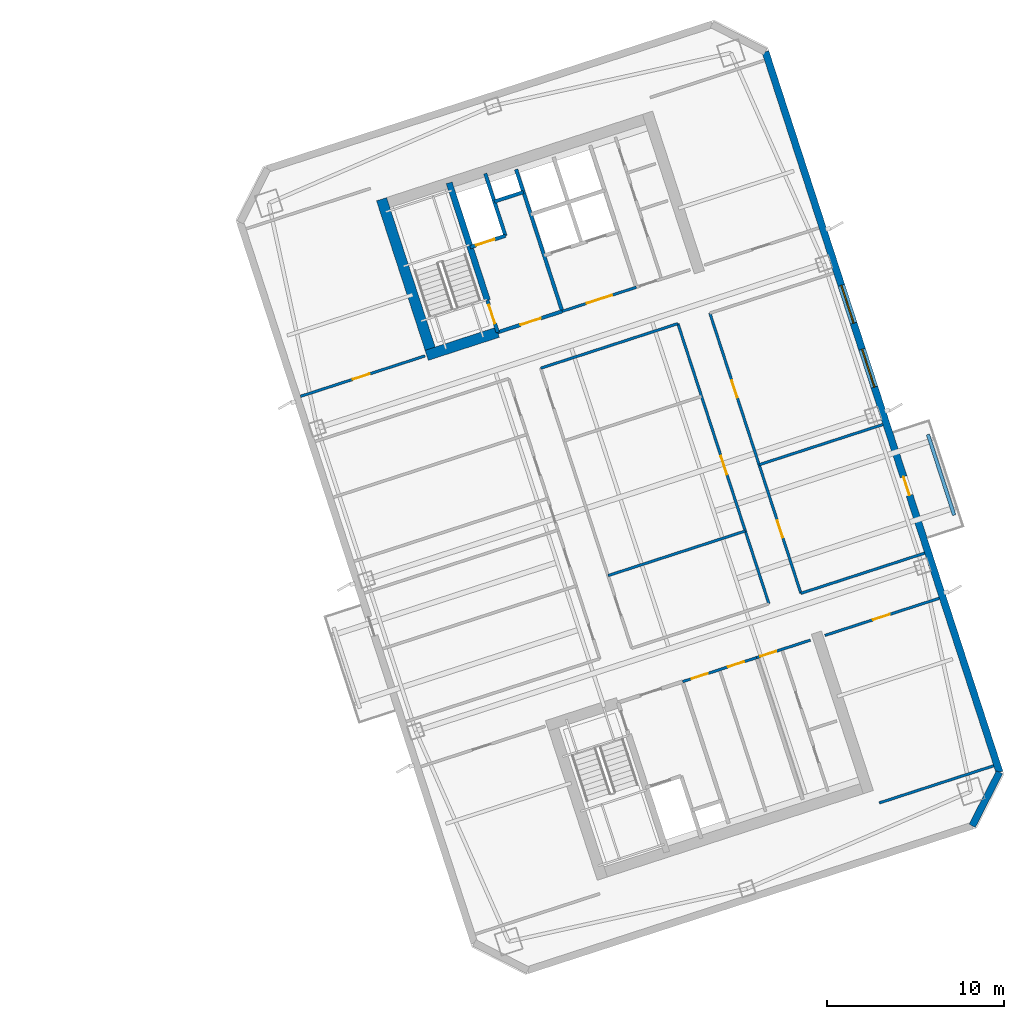
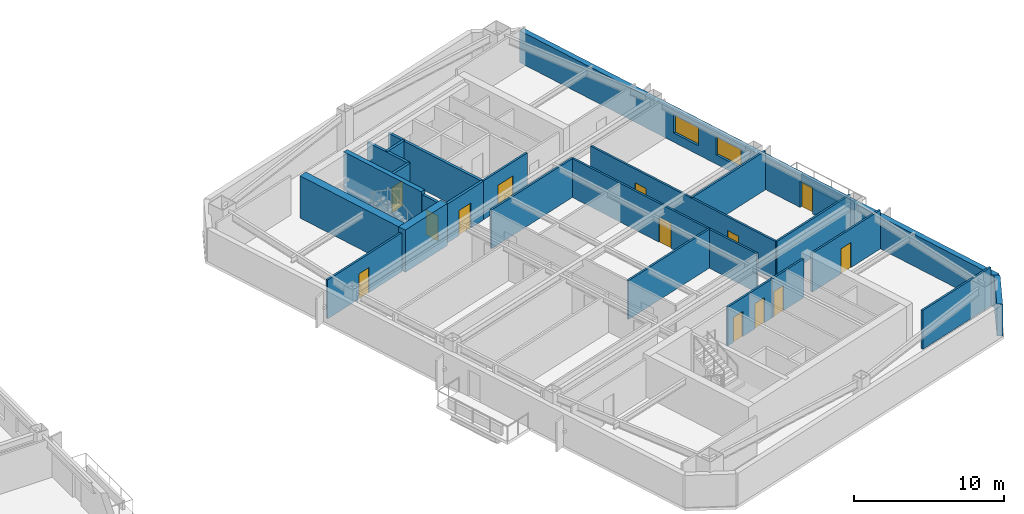
# One storey, part 10 of 18: 24 walls, 13 doors, 2 windows, 15 openings.
"""IFC4 building model written with IfcOpenShell, lengths in metres."""

from ifc_helpers import new_model, si_unit, direction, frame, frame_2d, origin, place, context, subcontext, project, spatial, rectangle, extrude, material, layer, layer_set, type_object, element, fill, save


model = new_model("IFC4")

# Units and contexts
model_context = context("Model", 3, precision=1e-05, world=origin(), true_north=direction((0.0, 1.0)))
body_context = subcontext(model_context, "Body", "Model", "MODEL_VIEW")
ifc_project = project(units=[si_unit("LENGTHUNIT", "METRE"), si_unit("AREAUNIT", "SQUARE_METRE"), si_unit("VOLUMEUNIT", "CUBIC_METRE"), si_unit("PLANEANGLEUNIT", "RADIAN"), si_unit("MASSUNIT", "GRAM", prefix="KILO")], contexts=[model_context])

# Site, building, storey
site_placement = place(None, origin())
site = spatial("IfcSite", under=ifc_project, at=site_placement, CompositionType="ELEMENT")
building_placement = place(site_placement, origin())
building = spatial("IfcBuilding", under=site, at=building_placement, Name="Qiaolan Cultural Towers", CompositionType="ELEMENT")
storey_placement = place(building_placement, frame((0.0, 0.0, 173.64990234375)))
storey = spatial("IfcBuildingStorey", under=building, at=storey_placement, Name="L46", CompositionType="ELEMENT", Elevation=173.64990234375)

# Walls
ifc_material_1 = material(Name="Concrete C50", Category="concrete")
ifc_layer_1 = layer(ifc_material_1, 0.35009765625)
ifc_layer_set_1 = layer_set([ifc_layer_1], Name="Concrete C50")
wall_type_1 = type_object("IfcWallType", Name="WL-CORE-350", PredefinedType="SHEAR", material=ifc_layer_set_1)
wall_1_placement = place(storey_placement, frame((82.513671875, 45.13134765625, 0.0), z_axis=(0.0, 0.0, 1.0), x_axis=(-0.308988790936, 0.951065679686, 0.0)))
element("IfcWall", 1, at=wall_1_placement, inside=storey, type_object=wall_type_1, Name="L46 T2-CN Stair Core Dividing Web", PredefinedType="SHEAR", context=body_context, shape_type="SweptSolid", body=[
    extrude(rectangle(XDim=6.97998046875, YDim=0.35009765625, at=frame_2d((3.489990234375, 0.0))), origin(), (0.0, 0.0, 1.0), 3.4501953125),
])
ifc_material_2 = material(Name="Concrete C55", Category="concrete")
ifc_layer_2 = layer(ifc_material_2, 0.60009765625)
ifc_layer_set_2 = layer_set([ifc_layer_2], Name="Concrete C55")
wall_type_2 = type_object("IfcWallType", Name="WL-CORE-600", PredefinedType="SHEAR", material=ifc_layer_set_2)
wall_2_placement = place(storey_placement, frame((79.465576171875, 41.827880859375, 0.0), z_axis=(0.0, 0.0, 1.0), x_axis=(-0.309041232772, 0.951048640421, 0.0)))
element("IfcWall", 2, at=wall_2_placement, inside=storey, type_object=wall_type_2, Name="L46 T2-CN West Core Shear Wall", PredefinedType="SHEAR", context=body_context, shape_type="SweptSolid", body=[
    extrude(rectangle(XDim=9.47998046875, YDim=0.60009765625, at=frame_2d((4.739990234375, 0.0))), origin(), (0.0, 0.0, 1.0), 3.4501953125),
])
wall_3_placement = place(storey_placement, frame((79.08740234375, 42.0205078125, 0.0), z_axis=(0.0, 0.0, 1.0), x_axis=(0.951062550203, 0.3089984233, 0.0)))
element("IfcWall", 3, at=wall_3_placement, inside=storey, type_object=wall_type_2, Name="L46 T2-CN Stair Front Shear Wall", PredefinedType="SHEAR", context=body_context, shape_type="SweptSolid", body=[
    extrude(rectangle(XDim=4.219970703125, YDim=0.60009765625, at=frame_2d((2.10986328125, 0.0))), origin(), (0.0, 0.0, 1.0), 3.4501953125),
])

# Wall, openings, door, windows
ifc_material_3 = material(Name="Precast Concrete C50 Honed Stone Pier", Category="masonry")
ifc_layer_3 = layer(ifc_material_3, 0.39990234375)
ifc_layer_set_3 = layer_set([ifc_layer_3], Name="Precast Concrete C50 Honed Stone Pier")
wall_type_3 = type_object("IfcWallType", Name="WL-EXT-PIER-400", PredefinedType="SOLIDWALL", material=ifc_layer_set_3)
wall_4_placement = place(storey_placement, frame((98.2236328125, 59.17333984375, 0.0), z_axis=(0.0, 0.0, 1.0), x_axis=(0.309014228706, -0.951057414911, 0.0)))
wall_4 = element("IfcWall", 4, at=wall_4_placement, inside=storey, type_object=wall_type_3, Name="L46 East Tower Precast Pier Facade Wall F5", PredefinedType="SOLIDWALL", context=body_context, shape_type="SweptSolid", body=[
    extrude(rectangle(XDim=42.800048828125, YDim=0.39990234375, at=frame_2d((21.39990234375, 0.0))), origin(), (0.0, 0.0, 1.0), 2.610107421875),
])
opening_1_placement = place(wall_4_placement, frame((17.675048828125, 0.0, 0.75)))
opening_1 = element("IfcOpeningElement", 5, at=opening_1_placement, cuts=wall_4, Name="Opening W-03", PredefinedType="OPENING", context=body_context, shape_type="SweptSolid", body=[
    extrude(rectangle(XDim=2.25, YDim=1.4599609375, at=frame_2d((1.125, 0.72998046875))), frame((0.0, 0.2099609375, 0.0), z_axis=(0.0, -1.0, 0.0), x_axis=(1.0, 0.0, 0.0)), (0.0, 0.0, 1.0), 0.419921875),
])
opening_2_placement = place(wall_4_placement, frame((13.875, 0.0, 0.75)))
opening_2 = element("IfcOpeningElement", 6, at=opening_2_placement, cuts=wall_4, Name="Opening W-03", PredefinedType="OPENING", context=body_context, shape_type="SweptSolid", body=[
    extrude(rectangle(XDim=2.25, YDim=1.4599609375, at=frame_2d((1.125, 0.72998046875))), frame((0.0, 0.2099609375, 0.0), z_axis=(0.0, -1.0, 0.0), x_axis=(1.0, 0.0, 0.0)), (0.0, 0.0, 1.0), 0.419921875),
])
opening_3_placement = place(wall_4_placement, frame((25.25, 0.0, 0.0)))
opening_3 = element("IfcOpeningElement", 7, at=opening_3_placement, cuts=wall_4, Name="Opening BD-01", PredefinedType="OPENING", context=body_context, shape_type="SweptSolid", body=[
    extrude(rectangle(XDim=1.10009765625, YDim=2.14990234375, at=frame_2d((0.550048828125, 1.074951171875))), frame((0.0, 0.2099609375, 0.0), z_axis=(0.0, -1.0, 0.0), x_axis=(1.0, 0.0, 0.0)), (0.0, 0.0, 1.0), 0.419921875),
])
ifc_material_4 = material(Name="Thermally Broken Aluminium Glazed Terrace Door", Category="aluminium")
door_type_1 = type_object("IfcDoorType", Name="DR-BAL-1100", OperationType="NOTDEFINED", PredefinedType="DOOR", material=ifc_material_4)
door_1_placement = place(opening_3_placement, origin())
door_1 = element("IfcDoor", 8, at=door_1_placement, inside=storey, type_object=door_type_1, Name="L46 T2 East Tree Balcony Door", OperationType="SINGLE_SWING_RIGHT", OverallHeight=2.14990234375, OverallWidth=1.10009765625, PredefinedType="DOOR", context=body_context, shape_type="SweptSolid", body=[
    extrude(rectangle(XDim=1.10009765625, YDim=2.14990234375, at=frame_2d((0.550048828125, 1.074951171875))), frame((0.0, 0.02490234375, 0.0), z_axis=(0.0, -1.0, 0.0), x_axis=(1.0, 0.0, 0.0)), (0.0, 0.0, 1.0), 0.050048828125),
])
fill(opening_3, door_1)
ifc_material_5 = material(Name="Thermally Broken Aluminium Triple Low-E Glazing", Category="aluminium")
window_type = type_object("IfcWindowType", Name="WN-CHIC-2250", PartitioningType="SINGLE_PANEL", PredefinedType="WINDOW", material=ifc_material_5)
window_1_placement = place(opening_1_placement, origin())
window_1 = element("IfcWindow", 9, at=window_1_placement, inside=storey, type_object=window_type, Name="L46 T2 E Chicago Bay Window 1", OverallHeight=1.4599609375, OverallWidth=2.25, PartitioningType="TRIPLE_PANEL_VERTICAL", PredefinedType="WINDOW", context=body_context, shape_type="SweptSolid", body=[
    extrude(rectangle(XDim=2.25, YDim=1.4599609375, at=frame_2d((1.125, 0.72998046875))), frame((0.0, 0.030029296875, 0.0), z_axis=(0.0, -1.0, 0.0), x_axis=(1.0, 0.0, 0.0)), (0.0, 0.0, 1.0), 0.06005859375),
])
fill(opening_1, window_1)
window_2_placement = place(opening_2_placement, origin())
window_2 = element("IfcWindow", 10, at=window_2_placement, inside=storey, type_object=window_type, Name="L46 T2 E Chicago Bay Window 2", OverallHeight=1.4599609375, OverallWidth=2.25, PartitioningType="TRIPLE_PANEL_VERTICAL", PredefinedType="WINDOW", context=body_context, shape_type="SweptSolid", body=[
    extrude(rectangle(XDim=2.25, YDim=1.4599609375, at=frame_2d((1.125, 0.72998046875))), frame((0.0, 0.030029296875, 0.0), z_axis=(0.0, -1.0, 0.0), x_axis=(1.0, 0.0, 0.0)), (0.0, 0.0, 1.0), 0.06005859375),
])
fill(opening_2, window_2)

# Wall
wall_5_placement = place(storey_placement, frame((111.449462890625, 18.468017578125, 0.0), z_axis=(0.0, 0.0, 1.0), x_axis=(-0.454019523198, -0.890991735402, 0.0)))
element("IfcWall", 11, at=wall_5_placement, inside=storey, type_object=wall_type_3, Name="L46 East Tower Precast Pier Facade Wall F6", PredefinedType="SOLIDWALL", context=body_context, shape_type="SweptSolid", body=[
    extrude(rectangle(XDim=3.39404296875, YDim=0.39990234375, at=frame_2d((1.697021484375, 0.0))), origin(), (0.0, 0.0, 1.0), 2.610107421875),
])

# Wall, opening, door
ifc_material_6 = material(Name="Concrete C35 Fire Wall", Category="concrete")
ifc_layer_4 = layer(ifc_material_6, 0.199951171875)
ifc_layer_set_4 = layer_set([ifc_layer_4], Name="Concrete C35 Fire Wall")
wall_type_4 = type_object("IfcWallType", Name="WL-FIRE-200", PredefinedType="PARTITIONING", material=ifc_layer_set_4)
wall_6_placement = place(storey_placement, frame((83.100830078125, 43.324462890625, 0.0), z_axis=(0.0, 0.0, 1.0), x_axis=(-0.309048298632, 0.951046344356, 0.0)))
wall_6 = element("IfcWall", 12, at=wall_6_placement, inside=storey, type_object=wall_type_4, Name="L46 T2-CN Smokeproof Stair Entry Wall", PredefinedType="PARTITIONING", context=body_context, shape_type="SweptSolid", body=[
    extrude(rectangle(XDim=1.89990234375, YDim=0.199951171875, at=frame_2d((0.949951171875, 0.0))), origin(), (0.0, 0.0, 1.0), 3.175048828125),
])
opening_4_placement = place(wall_6_placement, frame((0.52001953125, 0.0, 0.0)))
opening_4 = element("IfcOpeningElement", 13, at=opening_4_placement, cuts=wall_6, Name="Opening FD-04", PredefinedType="OPENING", context=body_context, shape_type="SweptSolid", body=[
    extrude(rectangle(XDim=1.10009765625, YDim=2.050048828125, at=frame_2d((0.550048828125, 1.02490234375))), frame((0.0, 0.10986328125, 0.0), z_axis=(0.0, -1.0, 0.0), x_axis=(1.0, 0.0, 0.0)), (0.0, 0.0, 1.0), 0.219970703125),
])
ifc_material_7 = material(Name="Galvanized Steel Command Fire Door", Category="steel")
door_type_2 = type_object("IfcDoorType", Name="DR-FD90-1100", OperationType="NOTDEFINED", PredefinedType="DOOR", material=ifc_material_7)
door_2_placement = place(opening_4_placement, origin())
door_2 = element("IfcDoor", 14, at=door_2_placement, inside=storey, type_object=door_type_2, Name="L46 ST-E2 Smokeproof Stair Fire Door", OperationType="SINGLE_SWING_LEFT", OverallHeight=2.050048828125, OverallWidth=1.10009765625, PredefinedType="DOOR", context=body_context, shape_type="SweptSolid", body=[
    extrude(rectangle(XDim=1.10009765625, YDim=2.050048828125, at=frame_2d((0.550048828125, 1.02490234375))), frame((0.0, 0.02490234375, 0.0), z_axis=(0.0, -1.0, 0.0), x_axis=(1.0, 0.0, 0.0)), (0.0, 0.0, 1.0), 0.050048828125),
])
fill(opening_4, door_2)

# Wall
wall_7_placement = place(storey_placement, frame((86.743408203125, 44.508056640625, 0.0), z_axis=(0.0, 0.0, 1.0), x_axis=(-0.309016001439, 0.951056838919, 0.0)))
element("IfcWall", 15, at=wall_7_placement, inside=storey, type_object=wall_type_4, Name="L46 T2-CN Firefighting Zone Wall", PredefinedType="PARTITIONING", context=body_context, shape_type="SweptSolid", body=[
    extrude(rectangle(XDim=8.429931640625, YDim=0.199951171875, at=frame_2d((4.21484375, 0.0))), origin(), (0.0, 0.0, 1.0), 3.175048828125),
])

# Wall, opening, door
wall_8_placement = place(storey_placement, frame((83.100830078125, 43.324462890625, 0.0), z_axis=(0.0, 0.0, 1.0), x_axis=(0.951052804469, 0.309028417967, 0.0)))
wall_8 = element("IfcWall", 16, at=wall_8_placement, inside=storey, type_object=wall_type_4, Name="L46 T2-CN Firefighting Lobby Front Wall", PredefinedType="PARTITIONING", context=body_context, shape_type="SweptSolid", body=[
    extrude(rectangle(XDim=3.830078125, YDim=0.199951171875, at=frame_2d((1.9150390625, 0.0))), origin(), (0.0, 0.0, 1.0), 3.175048828125),
])
opening_5_placement = place(wall_8_placement, frame((1.35009765625, 0.0, 0.0)))
opening_5 = element("IfcOpeningElement", 17, at=opening_5_placement, cuts=wall_8, Name="Opening FD-03", PredefinedType="OPENING", context=body_context, shape_type="SweptSolid", body=[
    extrude(rectangle(XDim=1.199951171875, YDim=2.050048828125, at=frame_2d((0.60009765625, 1.02490234375))), frame((0.0, 0.10986328125, 0.0), z_axis=(0.0, -1.0, 0.0), x_axis=(1.0, 0.0, 0.0)), (0.0, 0.0, 1.0), 0.219970703125),
])
ifc_material_8 = material(Name="Galvanized Steel Smokeproof Lobby Fire Door", Category="steel")
door_type_3 = type_object("IfcDoorType", Name="DR-FD90-1200", OperationType="NOTDEFINED", PredefinedType="DOOR", material=ifc_material_8)
door_3_placement = place(opening_5_placement, origin())
door_3 = element("IfcDoor", 18, at=door_3_placement, inside=storey, type_object=door_type_3, Name="L46 FFL-E2 Firefighting Lobby Fire Door", OperationType="SINGLE_SWING_LEFT", OverallHeight=2.050048828125, OverallWidth=1.199951171875, PredefinedType="DOOR", context=body_context, shape_type="SweptSolid", body=[
    extrude(rectangle(XDim=1.199951171875, YDim=2.050048828125, at=frame_2d((0.60009765625, 1.02490234375))), frame((0.0, 0.02490234375, 0.0), z_axis=(0.0, -1.0, 0.0), x_axis=(1.0, 0.0, 0.0)), (0.0, 0.0, 1.0), 0.050048828125),
])
fill(opening_5, door_3)

wall_9_placement = place(storey_placement, frame((81.540283203125, 48.127197265625, 0.0), z_axis=(0.0, 0.0, 1.0), x_axis=(0.951062257173, 0.308999325213, 0.0)))
wall_9 = element("IfcWall", 19, at=wall_9_placement, inside=storey, type_object=wall_type_4, Name="L46 T2-CN Firefighting Shaft Front Wall", PredefinedType="PARTITIONING", context=body_context, shape_type="SweptSolid", body=[
    extrude(rectangle(XDim=2.10009765625, YDim=0.199951171875, at=frame_2d((1.050048828125, 0.0))), origin(), (0.0, 0.0, 1.0), 3.175048828125),
])
opening_6_placement = place(wall_9_placement, frame((0.35009765625, 0.0, 0.0)))
opening_6 = element("IfcOpeningElement", 20, at=opening_6_placement, cuts=wall_9, Name="Opening LD-01", PredefinedType="OPENING", context=body_context, shape_type="SweptSolid", body=[
    extrude(rectangle(XDim=1.10009765625, YDim=2.050048828125, at=frame_2d((0.550048828125, 1.02490234375))), frame((0.0, 0.10986328125, 0.0), z_axis=(0.0, -1.0, 0.0), x_axis=(1.0, 0.0, 0.0)), (0.0, 0.0, 1.0), 0.219970703125),
])
ifc_material_9 = material(Name="Brushed Stainless Steel S30408 Centre-Parting Lift Landing Door", Category="steel")
door_type_4 = type_object("IfcDoorType", Name="DR-LIFT-1100", OperationType="NOTDEFINED", PredefinedType="DOOR", material=ifc_material_9)
door_4_placement = place(opening_6_placement, origin())
door_4 = element("IfcDoor", 21, at=door_4_placement, inside=storey, type_object=door_type_4, Name="L46 FFL-E2 Firefighting Lift Landing Door", OperationType="DOUBLE_DOOR_SLIDING", OverallHeight=2.050048828125, OverallWidth=1.10009765625, PredefinedType="DOOR", context=body_context, shape_type="SweptSolid", body=[
    extrude(rectangle(XDim=1.10009765625, YDim=2.050048828125, at=frame_2d((0.550048828125, 1.02490234375))), frame((0.0, 0.02490234375, 0.0), z_axis=(0.0, -1.0, 0.0), x_axis=(1.0, 0.0, 0.0)), (0.0, 0.0, 1.0), 0.050048828125),
])
fill(opening_6, door_4)

# Walls
wall_10_placement = place(storey_placement, frame((83.53759765625, 48.776123046875, 0.0), z_axis=(0.0, 0.0, 1.0), x_axis=(-0.3089935693, 0.951064127245, 0.0)))
element("IfcWall", 22, at=wall_10_placement, inside=storey, type_object=wall_type_4, Name="L46 T2-CN Firefighting Hoistway East Wall", PredefinedType="PARTITIONING", context=body_context, shape_type="SweptSolid", body=[
    extrude(rectangle(XDim=3.7001953125, YDim=0.199951171875, at=frame_2d((1.85009765625, 0.0))), origin(), (0.0, 0.0, 1.0), 3.175048828125),
])
wall_11_placement = place(storey_placement, frame((82.910400390625, 50.706787109375, 0.0), z_axis=(0.0, 0.0, 1.0), x_axis=(0.951041328149, 0.309063734775, 0.0)))
element("IfcWall", 23, at=wall_11_placement, inside=storey, type_object=wall_type_4, Name="L46 T2-CN Pressurization Shaft Front Wall", PredefinedType="PARTITIONING", context=body_context, shape_type="SweptSolid", body=[
    extrude(rectangle(XDim=1.72998046875, YDim=0.199951171875, at=frame_2d((0.864990234375, 0.0))), origin(), (0.0, 0.0, 1.0), 3.175048828125),
])

# Wall, openings, doors
ifc_material_10 = material(Name="Autoclaved Aerated Concrete Block B06", Category="concrete")
ifc_layer_5 = layer(ifc_material_10, 0.14990234375)
ifc_layer_set_5 = layer_set([ifc_layer_5], Name="Autoclaved Aerated Concrete Block B06")
wall_type_5 = type_object("IfcWallType", Name="WL-PART-150", PredefinedType="PARTITIONING", material=ifc_layer_set_5)
wall_12_placement = place(storey_placement, frame((93.541748046875, 23.584716796875, 0.0), z_axis=(0.0, 0.0, 1.0), x_axis=(0.951063829732, 0.308994485023, 0.0)))
wall_12 = element("IfcWall", 24, at=wall_12_placement, inside=storey, type_object=wall_type_5, Name="L46 T2-CS Reclaimed Core Room Front Wall", PredefinedType="PARTITIONING", context=body_context, shape_type="SweptSolid", body=[
    extrude(rectangle(XDim=4.400146484375, YDim=0.14990234375, at=frame_2d((2.2001953125, 0.0))), origin(), (0.0, 0.0, 1.0), 3.175048828125),
])
opening_7_placement = place(wall_12_placement, frame((0.550048828125, 0.0, 0.0)))
opening_7 = element("IfcOpeningElement", 25, at=opening_7_placement, cuts=wall_12, Name="Opening ID-05", PredefinedType="OPENING", context=body_context, shape_type="SweptSolid", body=[
    extrude(rectangle(XDim=0.949951171875, YDim=2.050048828125, at=frame_2d((0.47509765625, 1.02490234375))), frame((0.0, 0.0849609375, 0.0), z_axis=(0.0, -1.0, 0.0), x_axis=(1.0, 0.0, 0.0)), (0.0, 0.0, 1.0), 0.169921875),
])
opening_8_placement = place(wall_12_placement, frame((2.699951171875, 0.0, 0.0)))
opening_8 = element("IfcOpeningElement", 26, at=opening_8_placement, cuts=wall_12, Name="Opening ID-05", PredefinedType="OPENING", context=body_context, shape_type="SweptSolid", body=[
    extrude(rectangle(XDim=0.949951171875, YDim=2.050048828125, at=frame_2d((0.47509765625, 1.02490234375))), frame((0.0, 0.0849609375, 0.0), z_axis=(0.0, -1.0, 0.0), x_axis=(1.0, 0.0, 0.0)), (0.0, 0.0, 1.0), 0.169921875),
])
ifc_material_11 = material(Name="Fire-Rated Laminate Accessible Core Door", Category="timber")
door_type_5 = type_object("IfcDoorType", Name="DR-INT-950", OperationType="NOTDEFINED", PredefinedType="DOOR", material=ifc_material_11)
door_5_placement = place(opening_7_placement, origin())
door_5 = element("IfcDoor", 27, at=door_5_placement, inside=storey, type_object=door_type_5, Name="L46 Copy Print Room Door", OperationType="SINGLE_SWING_LEFT", OverallHeight=2.050048828125, OverallWidth=0.949951171875, PredefinedType="DOOR", context=body_context, shape_type="SweptSolid", body=[
    extrude(rectangle(XDim=0.949951171875, YDim=2.050048828125, at=frame_2d((0.47509765625, 1.02490234375))), frame((0.0, 0.02490234375, 0.0), z_axis=(0.0, -1.0, 0.0), x_axis=(1.0, 0.0, 0.0)), (0.0, 0.0, 1.0), 0.050048828125),
])
fill(opening_7, door_5)
door_6_placement = place(opening_8_placement, origin())
door_6 = element("IfcDoor", 28, at=door_6_placement, inside=storey, type_object=door_type_5, Name="L46 Tea Pantry Room Door", OperationType="SINGLE_SWING_RIGHT", OverallHeight=2.050048828125, OverallWidth=0.949951171875, PredefinedType="DOOR", context=body_context, shape_type="SweptSolid", body=[
    extrude(rectangle(XDim=0.949951171875, YDim=2.050048828125, at=frame_2d((0.47509765625, 1.02490234375))), frame((0.0, 0.02490234375, 0.0), z_axis=(0.0, -1.0, 0.0), x_axis=(1.0, 0.0, 0.0)), (0.0, 0.0, 1.0), 0.050048828125),
])
fill(opening_8, door_6)

# Wall, opening, door
wall_13_placement = place(storey_placement, frame((97.7265625, 24.9443359375, 0.0), z_axis=(0.0, 0.0, 1.0), x_axis=(0.951036872128, 0.309077446369, 0.0)))
wall_13 = element("IfcWall", 29, at=wall_13_placement, inside=storey, type_object=wall_type_5, Name="L46 T2-CS Sanitary Core Front Wall", PredefinedType="PARTITIONING", context=body_context, shape_type="SweptSolid", body=[
    extrude(rectangle(XDim=3.199951171875, YDim=0.14990234375, at=frame_2d((1.60009765625, 0.0))), origin(), (0.0, 0.0, 1.0), 3.175048828125),
])
opening_9_placement = place(wall_13_placement, frame((0.219970703125, 0.0, 0.0)))
opening_9 = element("IfcOpeningElement", 30, at=opening_9_placement, cuts=wall_13, Name="Opening ID-05", PredefinedType="OPENING", context=body_context, shape_type="SweptSolid", body=[
    extrude(rectangle(XDim=0.949951171875, YDim=2.050048828125, at=frame_2d((0.47509765625, 1.02490234375))), frame((0.0, 0.0849609375, 0.0), z_axis=(0.0, -1.0, 0.0), x_axis=(1.0, 0.0, 0.0)), (0.0, 0.0, 1.0), 0.169921875),
])
door_7_placement = place(opening_9_placement, origin())
door_7 = element("IfcDoor", 31, at=door_7_placement, inside=storey, type_object=door_type_5, Name="L46 Sanitary Lobby Door", OperationType="SINGLE_SWING_LEFT", OverallHeight=2.050048828125, OverallWidth=0.949951171875, PredefinedType="DOOR", context=body_context, shape_type="SweptSolid", body=[
    extrude(rectangle(XDim=0.949951171875, YDim=2.050048828125, at=frame_2d((0.47509765625, 1.02490234375))), frame((0.0, 0.02490234375, 0.0), z_axis=(0.0, -1.0, 0.0), x_axis=(1.0, 0.0, 0.0)), (0.0, 0.0, 1.0), 0.050048828125),
])
fill(opening_9, door_7)

wall_14_placement = place(storey_placement, frame((86.743408203125, 44.508056640625, 0.0), z_axis=(0.0, 0.0, 1.0), x_axis=(0.951063829732, 0.308994485023, 0.0)))
wall_14 = element("IfcWall", 32, at=wall_14_placement, inside=storey, type_object=wall_type_5, Name="L46 T2-CN Passenger Lift Lobby Front Wall", PredefinedType="PARTITIONING", context=body_context, shape_type="SweptSolid", body=[
    extrude(rectangle(XDim=4.400146484375, YDim=0.14990234375, at=frame_2d((2.2001953125, 0.0))), origin(), (0.0, 0.0, 1.0), 3.175048828125),
])
opening_10_placement = place(wall_14_placement, frame((1.449951171875, 0.0, 0.0)))
opening_10 = element("IfcOpeningElement", 33, at=opening_10_placement, cuts=wall_14, Name="Opening FD-05", PredefinedType="OPENING", context=body_context, shape_type="SweptSolid", body=[
    extrude(rectangle(XDim=1.5, YDim=2.050048828125, at=frame_2d((0.75, 1.02490234375))), frame((0.0, 0.0849609375, 0.0), z_axis=(0.0, -1.0, 0.0), x_axis=(1.0, 0.0, 0.0)), (0.0, 0.0, 1.0), 0.169921875),
])
ifc_material_12 = material(Name="Painted Steel Lift Lobby Fire Door", Category="steel")
door_type_6 = type_object("IfcDoorType", Name="DR-FD60-1500", OperationType="NOTDEFINED", PredefinedType="DOOR", material=ifc_material_12)
door_8_placement = place(opening_10_placement, origin())
door_8 = element("IfcDoor", 34, at=door_8_placement, inside=storey, type_object=door_type_6, Name="L46 Passenger Lift Lobby Entrance", OperationType="SINGLE_SWING_LEFT", OverallHeight=2.050048828125, OverallWidth=1.5, PredefinedType="DOOR", context=body_context, shape_type="SweptSolid", body=[
    extrude(rectangle(XDim=1.5, YDim=2.050048828125, at=frame_2d((0.75, 1.02490234375))), frame((0.0, 0.02490234375, 0.0), z_axis=(0.0, -1.0, 0.0), x_axis=(1.0, 0.0, 0.0)), (0.0, 0.0, 1.0), 0.050048828125),
])
fill(opening_10, door_8)

# Wall
wall_15_placement = place(storey_placement, frame((104.653076171875, 16.73291015625, 0.0), z_axis=(0.0, 0.0, 1.0), x_axis=(0.951054383043, 0.309023559774, 0.0)))
element("IfcWall", 35, at=wall_15_placement, inside=storey, type_object=wall_type_5, Name="L46 T2 Flank Wall FLK-SE", PredefinedType="PARTITIONING", context=body_context, shape_type="SweptSolid", body=[
    extrude(rectangle(XDim=6.7998046875, YDim=0.14990234375, at=frame_2d((3.39990234375, 0.0))), origin(), (0.0, 0.0, 1.0), 3.175048828125),
])

# Wall, opening, door
wall_16_placement = place(storey_placement, frame((101.578369140625, 26.196044921875, 0.0), z_axis=(0.0, 0.0, 1.0), x_axis=(0.951064934653, 0.308991084134, 0.0)))
wall_16 = element("IfcWall", 36, at=wall_16_placement, inside=storey, type_object=wall_type_5, Name="L46 T2 Flank Front FLK-SE", PredefinedType="PARTITIONING", context=body_context, shape_type="SweptSolid", body=[
    extrude(rectangle(XDim=6.7998046875, YDim=0.14990234375, at=frame_2d((3.39990234375, 0.0))), origin(), (0.0, 0.0, 1.0), 3.175048828125),
])
opening_11_placement = place(wall_16_placement, frame((2.85595703125, 0.0, 0.0)))
opening_11 = element("IfcOpeningElement", 37, at=opening_11_placement, cuts=wall_16, Name="Opening ID-04", PredefinedType="OPENING", context=body_context, shape_type="SweptSolid", body=[
    extrude(rectangle(XDim=1.0, YDim=2.050048828125, at=frame_2d((0.5, 1.02490234375))), frame((0.0, 0.0849609375, 0.0), z_axis=(0.0, -1.0, 0.0), x_axis=(1.0, 0.0, 0.0)), (0.0, 0.0, 1.0), 0.169921875),
])
ifc_material_13 = material(Name="Oak Veneer Acoustic Office Door", Category="timber")
door_type_7 = type_object("IfcDoorType", Name="DR-INT-1000", OperationType="NOTDEFINED", PredefinedType="DOOR", material=ifc_material_13)
door_9_placement = place(opening_11_placement, origin())
door_9 = element("IfcDoor", 38, at=door_9_placement, inside=storey, type_object=door_type_7, Name="L46 T2 Corner Studio Door", OperationType="SINGLE_SWING_LEFT", OverallHeight=2.050048828125, OverallWidth=1.0, PredefinedType="DOOR", context=body_context, shape_type="SweptSolid", body=[
    extrude(rectangle(XDim=1.0, YDim=2.050048828125, at=frame_2d((0.5, 1.02490234375))), frame((0.0, 0.02490234375, 0.0), z_axis=(0.0, -1.0, 0.0), x_axis=(1.0, 0.0, 0.0)), (0.0, 0.0, 1.0), 0.050048828125),
])
fill(opening_11, door_9)

wall_17_placement = place(storey_placement, frame((71.95458984375, 39.702880859375, 0.0), z_axis=(0.0, 0.0, 1.0), x_axis=(0.951060977215, 0.309003264738, 0.0)))
wall_17 = element("IfcWall", 39, at=wall_17_placement, inside=storey, type_object=wall_type_5, Name="L46 T2 Flank Front FLK-NW", PredefinedType="PARTITIONING", context=body_context, shape_type="SweptSolid", body=[
    extrude(rectangle(XDim=7.39990234375, YDim=0.14990234375, at=frame_2d((3.699951171875, 0.0))), origin(), (0.0, 0.0, 1.0), 3.175048828125),
])
opening_12_placement = place(wall_17_placement, frame((3.10791015625, 0.0, 0.0)))
opening_12 = element("IfcOpeningElement", 40, at=opening_12_placement, cuts=wall_17, Name="Opening ID-04", PredefinedType="OPENING", context=body_context, shape_type="SweptSolid", body=[
    extrude(rectangle(XDim=1.0, YDim=2.050048828125, at=frame_2d((0.5, 1.02490234375))), frame((0.0, 0.0849609375, 0.0), z_axis=(0.0, -1.0, 0.0), x_axis=(1.0, 0.0, 0.0)), (0.0, 0.0, 1.0), 0.169921875),
])
door_10_placement = place(opening_12_placement, origin())
door_10 = element("IfcDoor", 41, at=door_10_placement, inside=storey, type_object=door_type_7, Name="L46 T2 Corner Studio Door", OperationType="SINGLE_SWING_LEFT", OverallHeight=2.050048828125, OverallWidth=1.0, PredefinedType="DOOR", context=body_context, shape_type="SweptSolid", body=[
    extrude(rectangle(XDim=1.0, YDim=2.050048828125, at=frame_2d((0.5, 1.02490234375))), frame((0.0, 0.02490234375, 0.0), z_axis=(0.0, -1.0, 0.0), x_axis=(1.0, 0.0, 0.0)), (0.0, 0.0, 1.0), 0.050048828125),
])
fill(opening_12, door_10)

# Walls
wall_18_placement = place(storey_placement, frame((100.22705078125, 28.57470703125, 0.0), z_axis=(0.0, 0.0, 1.0), x_axis=(0.95104773735, 0.309044011885, 0.0)))
element("IfcWall", 42, at=wall_18_placement, inside=storey, type_object=wall_type_5, Name="L46 T2 Interior Wall", PredefinedType="PARTITIONING", context=body_context, shape_type="SweptSolid", body=[
    extrude(rectangle(XDim=7.35009765625, YDim=0.14990234375, at=frame_2d((3.675048828125, 0.0))), origin(), (0.0, 0.0, 1.0), 3.175048828125),
])
wall_19_placement = place(storey_placement, frame((85.52685546875, 41.294677734375, 0.0), z_axis=(0.0, 0.0, 1.0), x_axis=(0.951055419664, 0.309020369437, 0.0)))
element("IfcWall", 43, at=wall_19_placement, inside=storey, type_object=wall_type_5, Name="L46 T2 Interior Wall", PredefinedType="PARTITIONING", context=body_context, shape_type="SweptSolid", body=[
    extrude(rectangle(XDim=8.150146484375, YDim=0.14990234375, at=frame_2d((4.0751953125, 0.0))), origin(), (0.0, 0.0, 1.0), 3.175048828125),
])

# Wall, opening, door
wall_20_placement = place(storey_placement, frame((98.419921875, 27.987548828125, 0.0), z_axis=(0.0, 0.0, 1.0), x_axis=(-0.309004459387, 0.951060589068, 0.0)))
wall_20 = element("IfcWall", 44, at=wall_20_placement, inside=storey, type_object=wall_type_5, Name="L46 T2 Interior Wall", PredefinedType="PARTITIONING", context=body_context, shape_type="SweptSolid", body=[
    extrude(rectangle(XDim=16.64013671875, YDim=0.14990234375, at=frame_2d((8.320068359375, 0.0))), origin(), (0.0, 0.0, 1.0), 3.175048828125),
])
opening_13_placement = place(wall_20_placement, frame((7.679931640625, 0.0, 0.0)))
opening_13 = element("IfcOpeningElement", 45, at=opening_13_placement, cuts=wall_20, Name="Opening ID-03", PredefinedType="OPENING", context=body_context, shape_type="SweptSolid", body=[
    extrude(rectangle(XDim=1.10009765625, YDim=2.050048828125, at=frame_2d((0.550048828125, 1.02490234375))), frame((0.0, 0.0849609375, 0.0), z_axis=(0.0, -1.0, 0.0), x_axis=(1.0, 0.0, 0.0)), (0.0, 0.0, 1.0), 0.169921875),
])
ifc_material_14 = material(Name="Oak Veneer Solid-Core Boardroom Door", Category="timber")
door_type_8 = type_object("IfcDoorType", Name="DR-INT-1100", OperationType="NOTDEFINED", PredefinedType="DOOR", material=ifc_material_14)
door_11_placement = place(opening_13_placement, origin())
door_11 = element("IfcDoor", 46, at=door_11_placement, inside=storey, type_object=door_type_8, Name="L46 T2 Central Study Salon Door", OperationType="SINGLE_SWING_LEFT", OverallHeight=2.050048828125, OverallWidth=1.10009765625, PredefinedType="DOOR", context=body_context, shape_type="SweptSolid", body=[
    extrude(rectangle(XDim=1.10009765625, YDim=2.050048828125, at=frame_2d((0.550048828125, 1.02490234375))), frame((0.0, 0.02490234375, 0.0), z_axis=(0.0, -1.0, 0.0), x_axis=(1.0, 0.0, 0.0)), (0.0, 0.0, 1.0), 0.050048828125),
])
fill(opening_13, door_11)

# Wall, openings, doors
wall_21_placement = place(storey_placement, frame((100.22705078125, 28.57470703125, 0.0), z_axis=(0.0, 0.0, 1.0), x_axis=(-0.30901773025, 0.951056277195, 0.0)))
wall_21 = element("IfcWall", 47, at=wall_21_placement, inside=storey, type_object=wall_type_5, Name="L46 T2 Interior Wall", PredefinedType="PARTITIONING", context=body_context, shape_type="SweptSolid", body=[
    extrude(rectangle(XDim=16.64013671875, YDim=0.14990234375, at=frame_2d((8.320068359375, 0.0))), origin(), (0.0, 0.0, 1.0), 3.175048828125),
])
opening_14_placement = place(wall_21_placement, frame((3.320068359375, 0.0, 0.0)))
opening_14 = element("IfcOpeningElement", 48, at=opening_14_placement, cuts=wall_21, Name="Opening ID-04", PredefinedType="OPENING", context=body_context, shape_type="SweptSolid", body=[
    extrude(rectangle(XDim=1.0, YDim=2.050048828125, at=frame_2d((0.5, 1.02490234375))), frame((0.0, 0.0849609375, 0.0), z_axis=(0.0, -1.0, 0.0), x_axis=(1.0, 0.0, 0.0)), (0.0, 0.0, 1.0), 0.169921875),
])
opening_15_placement = place(wall_21_placement, frame((11.639892578125, 0.0, 0.0)))
opening_15 = element("IfcOpeningElement", 49, at=opening_15_placement, cuts=wall_21, Name="Opening ID-04", PredefinedType="OPENING", context=body_context, shape_type="SweptSolid", body=[
    extrude(rectangle(XDim=1.0, YDim=2.050048828125, at=frame_2d((0.5, 1.02490234375))), frame((0.0, 0.0849609375, 0.0), z_axis=(0.0, -1.0, 0.0), x_axis=(1.0, 0.0, 0.0)), (0.0, 0.0, 1.0), 0.169921875),
])
door_12_placement = place(opening_14_placement, origin())
door_12 = element("IfcDoor", 50, at=door_12_placement, inside=storey, type_object=door_type_7, Name="L46 T2 Wellness & Rest Room Door", OperationType="SINGLE_SWING_RIGHT", OverallHeight=2.050048828125, OverallWidth=1.0, PredefinedType="DOOR", context=body_context, shape_type="SweptSolid", body=[
    extrude(rectangle(XDim=1.0, YDim=2.050048828125, at=frame_2d((0.5, 1.02490234375))), frame((0.0, 0.02490234375, 0.0), z_axis=(0.0, -1.0, 0.0), x_axis=(1.0, 0.0, 0.0)), (0.0, 0.0, 1.0), 0.050048828125),
])
fill(opening_14, door_12)
door_13_placement = place(opening_15_placement, origin())
door_13 = element("IfcDoor", 51, at=door_13_placement, inside=storey, type_object=door_type_7, Name="L46 T2 Media Studio Office Door", OperationType="SINGLE_SWING_LEFT", OverallHeight=2.050048828125, OverallWidth=1.0, PredefinedType="DOOR", context=body_context, shape_type="SweptSolid", body=[
    extrude(rectangle(XDim=1.0, YDim=2.050048828125, at=frame_2d((0.5, 1.02490234375))), frame((0.0, 0.02490234375, 0.0), z_axis=(0.0, -1.0, 0.0), x_axis=(1.0, 0.0, 0.0)), (0.0, 0.0, 1.0), 0.050048828125),
])
fill(opening_15, door_13)

# Walls
wall_22_placement = place(storey_placement, frame((89.333984375, 29.57763671875, 0.0), z_axis=(0.0, 0.0, 1.0), x_axis=(0.951052558989, 0.309029173445, 0.0)))
element("IfcWall", 52, at=wall_22_placement, inside=storey, type_object=wall_type_5, Name="L46 T2 Interior Wall", PredefinedType="PARTITIONING", context=body_context, shape_type="SweptSolid", body=[
    extrude(rectangle(XDim=8.14990234375, YDim=0.14990234375, at=frame_2d((4.074951171875, 0.0))), origin(), (0.0, 0.0, 1.0), 3.175048828125),
])
wall_23_placement = place(storey_placement, frame((97.8662109375, 35.8408203125, 0.0), z_axis=(0.0, 0.0, 1.0), x_axis=(0.95105749975, 0.309013967595, 0.0)))
element("IfcWall", 53, at=wall_23_placement, inside=storey, type_object=wall_type_5, Name="L46 T2 Interior Wall", PredefinedType="PARTITIONING", context=body_context, shape_type="SweptSolid", body=[
    extrude(rectangle(XDim=7.349853515625, YDim=0.14990234375, at=frame_2d((3.6748046875, 0.0))), origin(), (0.0, 0.0, 1.0), 3.175048828125),
])
ifc_material_15 = material(Name="Precast Concrete C45 Tree Planter Upstand", Category="concrete")
ifc_layer_6 = layer(ifc_material_15, 0.199951171875)
ifc_layer_set_6 = layer_set([ifc_layer_6], Name="Precast Concrete C45 Tree Planter Upstand")
wall_type_6 = type_object("IfcWallType", Name="WL-PLANTER-200", PredefinedType="PARAPET", material=ifc_layer_set_6)
wall_24_placement = place(storey_placement, frame((108.887451171875, 32.987060546875, 0.0), z_axis=(0.0, 0.0, 1.0), x_axis=(-0.30900096172, 0.951061725471, 0.0)))
element("IfcWall", 54, at=wall_24_placement, inside=storey, type_object=wall_type_6, Name="L46 T2 Tree Balcony Soil Planter Box E", PredefinedType="PARAPET", context=body_context, shape_type="SweptSolid", body=[
    extrude(rectangle(XDim=4.7998046875, YDim=0.199951171875, at=frame_2d((2.39990234375, 0.0))), origin(), (0.0, 0.0, 1.0), 0.75),
])

save(model, "model.ifc")
